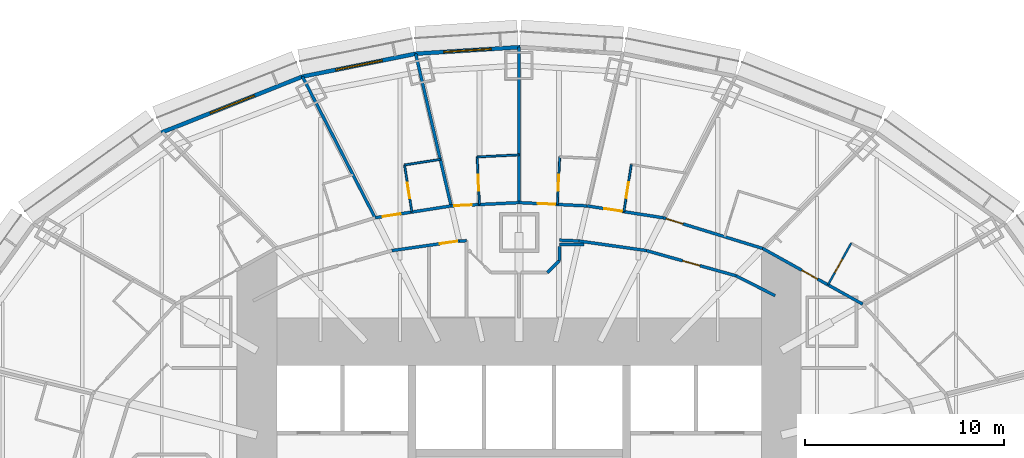
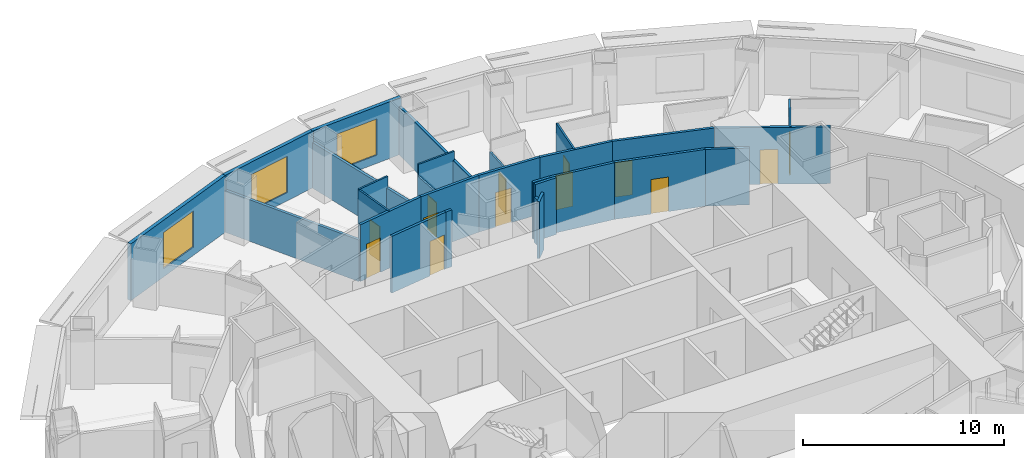
# One storey, part 10 of 17: 28 walls, 13 doors, 3 windows, 16 openings.
"""IFC4 building model written with IfcOpenShell, lengths in metres."""

from ifc_helpers import new_model, si_unit, direction, frame, frame_2d, origin, place, context, subcontext, project, spatial, rectangle, extrude, material, layer, layer_set, type_object, element, fill, save


model = new_model("IFC4")

# Units and contexts
model_context = context("Model", 3, precision=1e-05, world=origin(), true_north=direction((0.0, 1.0)))
body_context = subcontext(model_context, "Body", "Model", "MODEL_VIEW")
ifc_project = project(units=[si_unit("LENGTHUNIT", "METRE"), si_unit("AREAUNIT", "SQUARE_METRE"), si_unit("VOLUMEUNIT", "CUBIC_METRE"), si_unit("PLANEANGLEUNIT", "RADIAN"), si_unit("MASSUNIT", "GRAM", prefix="KILO")], contexts=[model_context])

# Site, building, storey
site_placement = place(None, origin())
site = spatial("IfcSite", under=ifc_project, at=site_placement, CompositionType="ELEMENT")
building_placement = place(site_placement, origin())
building = spatial("IfcBuilding", under=site, at=building_placement, Name="Lantaw Convention Tower", CompositionType="ELEMENT")
storey_placement = place(building_placement, frame((0.0, 0.0, 69.39990234375)))
storey = spatial("IfcBuildingStorey", under=building, at=storey_placement, Name="L15", CompositionType="ELEMENT", Elevation=69.39990234375)

# Walls
ifc_material_1 = material(Name="Gypsum board on steel studs", Category="steel")
ifc_layer_1 = layer(ifc_material_1, 0.14990234375)
ifc_layer_set_1 = layer_set([ifc_layer_1], Name="Back of house wall 150")
wall_type_1 = type_object("IfcWallType", Name="Back of house wall 150", PredefinedType="PARTITIONING", material=ifc_layer_set_1)
wall_1_placement = place(storey_placement, frame((3.2578125, 12.89990234375, 0.0), z_axis=(0.0, 0.0, 1.0), x_axis=(-1.0, 0.0, 0.0)))
element("IfcWall", 1, at=wall_1_placement, inside=storey, type_object=wall_type_1, Name="Back of house wall 150", PredefinedType="PARTITIONING", context=body_context, shape_type="SweptSolid", body=[
    extrude(rectangle(XDim=1.222900390625, YDim=0.14990234375, at=frame_2d((0.611328125, 0.0))), origin(), (0.0, 0.0, 1.0), 3.4501953125),
])
wall_2_placement = place(storey_placement, frame((2.02490234375, 12.796875, 0.0), z_axis=(0.0, 0.0, 1.0), x_axis=(0.0, -1.0, 0.0)))
element("IfcWall", 2, at=wall_2_placement, inside=storey, type_object=wall_type_1, Name="Back of house wall 150", PredefinedType="PARTITIONING", context=body_context, shape_type="SweptSolid", body=[
    extrude(rectangle(XDim=0.721435546875, YDim=0.14990234375, at=frame_2d((0.36083984375, 0.0))), origin(), (0.0, 0.0, 1.0), 2.7490234375),
])
wall_3_placement = place(storey_placement, frame((2.02490234375, 12.075439453125, 0.0), z_axis=(0.0, 0.0, 1.0), x_axis=(-0.707106781187, -0.707106781187, 0.0)))
element("IfcWall", 3, at=wall_3_placement, inside=storey, type_object=wall_type_1, Name="Back of house wall 150", PredefinedType="PARTITIONING", context=body_context, shape_type="SweptSolid", body=[
    extrude(rectangle(XDim=0.84912109375, YDim=0.14990234375, at=frame_2d((0.424560546875, 0.0))), origin(), (0.0, 0.0, 1.0), 3.4501953125),
])

# Wall, opening, door
ifc_material_2 = material(Name="Moisture resistant gypsum board on steel studs", Category="steel")
ifc_layer_2 = layer(ifc_material_2, 0.10009765625)
ifc_layer_set_2 = layer_set([ifc_layer_2], Name="Bathroom wall 100")
wall_type_2 = type_object("IfcWallType", Name="Bathroom wall 100", PredefinedType="PARTITIONING", material=ifc_layer_set_2)
wall_4_placement = place(storey_placement, frame((15.5517578125, 10.858154296875, 0.0), z_axis=(0.0, 0.0, 1.0), x_axis=(0.486445964861, 0.873710663361, 0.0)))
wall_4 = element("IfcWall", 4, at=wall_4_placement, inside=storey, type_object=wall_type_2, Name="Bathroom wall 100", PredefinedType="PARTITIONING", context=body_context, shape_type="SweptSolid", body=[
    extrude(rectangle(XDim=2.39990234375, YDim=0.10009765625, at=frame_2d((1.199951171875, 0.0))), origin(), (0.0, 0.0, 1.0), 3.4501953125),
])
opening_1_placement = place(wall_4_placement, frame((0.699951171875, 0.0, 0.0)))
opening_1 = element("IfcOpeningElement", 5, at=opening_1_placement, cuts=wall_4, Name="Opening L15.27", PredefinedType="OPENING", context=body_context, shape_type="SweptSolid", body=[
    extrude(rectangle(XDim=0.800048828125, YDim=2.10009765625, at=frame_2d((0.39990234375, 1.050048828125))), frame((0.0, 0.06005859375, 0.0), z_axis=(0.0, -1.0, 0.0), x_axis=(1.0, 0.0, 0.0)), (0.0, 0.0, 1.0), 0.1201171875),
])
ifc_material_3 = material(Name="Timber", Category="wood")
door_type_1 = type_object("IfcDoorType", Name="Bathroom door 800", OperationType="SINGLE_SWING_LEFT", PredefinedType="DOOR", material=ifc_material_3)
door_1_placement = place(opening_1_placement, origin())
door_1 = element("IfcDoor", 6, at=door_1_placement, inside=storey, type_object=door_type_1, Name="Bathroom door", OperationType="SINGLE_SWING_LEFT", OverallHeight=2.10009765625, OverallWidth=0.800048828125, PredefinedType="DOOR", context=body_context, shape_type="SweptSolid", body=[
    extrude(rectangle(XDim=0.800048828125, YDim=2.10009765625, at=frame_2d((0.39990234375, 1.050048828125))), frame((0.0, 0.02490234375, 0.0), z_axis=(0.0, -1.0, 0.0), x_axis=(1.0, 0.0, 0.0)), (0.0, 0.0, 1.0), 0.050048828125),
])
fill(opening_1, door_1)

wall_5_placement = place(storey_placement, frame((5.27685546875, 14.54345703125, 0.0), z_axis=(0.0, 0.0, 1.0), x_axis=(0.154426532979, 0.988004274238, 0.0)))
wall_5 = element("IfcWall", 7, at=wall_5_placement, inside=storey, type_object=wall_type_2, Name="Bathroom wall 100", PredefinedType="PARTITIONING", context=body_context, shape_type="SweptSolid", body=[
    extrude(rectangle(XDim=2.39990234375, YDim=0.10009765625, at=frame_2d((1.199951171875, 0.0))), origin(), (0.0, 0.0, 1.0), 3.4501953125),
])
opening_2_placement = place(wall_5_placement, frame((0.699951171875, 0.0, 0.0)))
opening_2 = element("IfcOpeningElement", 8, at=opening_2_placement, cuts=wall_5, Name="Opening L15.31", PredefinedType="OPENING", context=body_context, shape_type="SweptSolid", body=[
    extrude(rectangle(XDim=0.800048828125, YDim=2.10009765625, at=frame_2d((0.39990234375, 1.050048828125))), frame((0.0, 0.06005859375, 0.0), z_axis=(0.0, -1.0, 0.0), x_axis=(1.0, 0.0, 0.0)), (0.0, 0.0, 1.0), 0.1201171875),
])
door_2_placement = place(opening_2_placement, origin())
door_2 = element("IfcDoor", 9, at=door_2_placement, inside=storey, type_object=door_type_1, Name="Bathroom door", OperationType="SINGLE_SWING_LEFT", OverallHeight=2.10009765625, OverallWidth=0.800048828125, PredefinedType="DOOR", context=body_context, shape_type="SweptSolid", body=[
    extrude(rectangle(XDim=0.800048828125, YDim=2.10009765625, at=frame_2d((0.39990234375, 1.050048828125))), frame((0.0, 0.02490234375, 0.0), z_axis=(0.0, -1.0, 0.0), x_axis=(1.0, 0.0, 0.0)), (0.0, 0.0, 1.0), 0.050048828125),
])
fill(opening_2, door_2)

wall_6_placement = place(storey_placement, frame((1.92626953125, 14.906005859375, 0.0), z_axis=(0.0, 0.0, 1.0), x_axis=(0.048725028858, 0.998812230383, 0.0)))
wall_6 = element("IfcWall", 10, at=wall_6_placement, inside=storey, type_object=wall_type_2, Name="Bathroom wall 100", PredefinedType="PARTITIONING", context=body_context, shape_type="SweptSolid", body=[
    extrude(rectangle(XDim=2.400146484375, YDim=0.10009765625, at=frame_2d((1.2001953125, 0.0))), origin(), (0.0, 0.0, 1.0), 2.7490234375),
])
opening_3_placement = place(wall_6_placement, frame((0.699951171875, 0.0, 0.0)))
opening_3 = element("IfcOpeningElement", 11, at=opening_3_placement, cuts=wall_6, Name="Opening L15.33", PredefinedType="OPENING", context=body_context, shape_type="SweptSolid", body=[
    extrude(rectangle(XDim=0.800048828125, YDim=2.10009765625, at=frame_2d((0.39990234375, 1.050048828125))), frame((0.0, 0.06005859375, 0.0), z_axis=(0.0, -1.0, 0.0), x_axis=(1.0, 0.0, 0.0)), (0.0, 0.0, 1.0), 0.1201171875),
])
door_3_placement = place(opening_3_placement, origin())
door_3 = element("IfcDoor", 12, at=door_3_placement, inside=storey, type_object=door_type_1, Name="Bathroom door", OperationType="SINGLE_SWING_LEFT", OverallHeight=2.10009765625, OverallWidth=0.800048828125, PredefinedType="DOOR", context=body_context, shape_type="SweptSolid", body=[
    extrude(rectangle(XDim=0.800048828125, YDim=2.10009765625, at=frame_2d((0.39990234375, 1.050048828125))), frame((0.0, 0.02490234375, 0.0), z_axis=(0.0, -1.0, 0.0), x_axis=(1.0, 0.0, 0.0)), (0.0, 0.0, 1.0), 0.050048828125),
])
fill(opening_3, door_3)

wall_7_placement = place(storey_placement, frame((-1.99755859375, 14.902587890625, 0.0), z_axis=(0.0, 0.0, 1.0), x_axis=(-0.048831470304, 0.998807032168, 0.0)))
wall_7 = element("IfcWall", 13, at=wall_7_placement, inside=storey, type_object=wall_type_2, Name="Bathroom wall 100", PredefinedType="PARTITIONING", context=body_context, shape_type="SweptSolid", body=[
    extrude(rectangle(XDim=2.39990234375, YDim=0.10009765625, at=frame_2d((1.199951171875, 0.0))), origin(), (0.0, 0.0, 1.0), 2.7490234375),
])
opening_4_placement = place(wall_7_placement, frame((0.699951171875, 0.0, 0.0)))
opening_4 = element("IfcOpeningElement", 14, at=opening_4_placement, cuts=wall_7, Name="Opening L15.35", PredefinedType="OPENING", context=body_context, shape_type="SweptSolid", body=[
    extrude(rectangle(XDim=0.800048828125, YDim=2.10009765625, at=frame_2d((0.39990234375, 1.050048828125))), frame((0.0, 0.06005859375, 0.0), z_axis=(0.0, -1.0, 0.0), x_axis=(1.0, 0.0, 0.0)), (0.0, 0.0, 1.0), 0.1201171875),
])
door_4_placement = place(opening_4_placement, origin())
door_4 = element("IfcDoor", 15, at=door_4_placement, inside=storey, type_object=door_type_1, Name="Bathroom door", OperationType="SINGLE_SWING_LEFT", OverallHeight=2.10009765625, OverallWidth=0.800048828125, PredefinedType="DOOR", context=body_context, shape_type="SweptSolid", body=[
    extrude(rectangle(XDim=0.800048828125, YDim=2.10009765625, at=frame_2d((0.39990234375, 1.050048828125))), frame((0.0, 0.02490234375, 0.0), z_axis=(0.0, -1.0, 0.0), x_axis=(1.0, 0.0, 0.0)), (0.0, 0.0, 1.0), 0.050048828125),
])
fill(opening_4, door_4)

# Wall
wall_8_placement = place(storey_placement, frame((-2.11474609375, 17.299560546875, 0.0), z_axis=(0.0, 0.0, 1.0), x_axis=(0.998809749254, 0.048775862842, 0.0)))
element("IfcWall", 16, at=wall_8_placement, inside=storey, type_object=wall_type_2, Name="Bathroom wall 100", PredefinedType="PARTITIONING", context=body_context, shape_type="SweptSolid", body=[
    extrude(rectangle(XDim=2.1171875, YDim=0.10009765625, at=frame_2d((1.05859375, 0.0))), origin(), (0.0, 0.0, 1.0), 3.4501953125),
])

# Wall, opening, door
wall_9_placement = place(storey_placement, frame((-5.400390625, 14.524169921875, 0.0), z_axis=(0.0, 0.0, 1.0), x_axis=(-0.154426532979, 0.988004274238, 0.0)))
wall_9 = element("IfcWall", 17, at=wall_9_placement, inside=storey, type_object=wall_type_2, Name="Bathroom wall 100", PredefinedType="PARTITIONING", context=body_context, shape_type="SweptSolid", body=[
    extrude(rectangle(XDim=2.39990234375, YDim=0.10009765625, at=frame_2d((1.199951171875, 0.0))), origin(), (0.0, 0.0, 1.0), 3.4501953125),
])
opening_5_placement = place(wall_9_placement, frame((0.699951171875, 0.0, 0.0)))
opening_5 = element("IfcOpeningElement", 18, at=opening_5_placement, cuts=wall_9, Name="Opening L15.37", PredefinedType="OPENING", context=body_context, shape_type="SweptSolid", body=[
    extrude(rectangle(XDim=0.800048828125, YDim=2.10009765625, at=frame_2d((0.39990234375, 1.050048828125))), frame((0.0, 0.06005859375, 0.0), z_axis=(0.0, -1.0, 0.0), x_axis=(1.0, 0.0, 0.0)), (0.0, 0.0, 1.0), 0.1201171875),
])
door_5_placement = place(opening_5_placement, origin())
door_5 = element("IfcDoor", 19, at=door_5_placement, inside=storey, type_object=door_type_1, Name="Bathroom door", OperationType="SINGLE_SWING_LEFT", OverallHeight=2.10009765625, OverallWidth=0.800048828125, PredefinedType="DOOR", context=body_context, shape_type="SweptSolid", body=[
    extrude(rectangle(XDim=0.800048828125, YDim=2.10009765625, at=frame_2d((0.39990234375, 1.050048828125))), frame((0.0, 0.02490234375, 0.0), z_axis=(0.0, -1.0, 0.0), x_axis=(1.0, 0.0, 0.0)), (0.0, 0.0, 1.0), 0.050048828125),
])
fill(opening_5, door_5)

# Wall
wall_10_placement = place(storey_placement, frame((-5.77099609375, 16.895263671875, 0.0), z_axis=(0.0, 0.0, 1.0), x_axis=(0.98801840204, 0.154336117711, 0.0)))
element("IfcWall", 20, at=wall_10_placement, inside=storey, type_object=wall_type_2, Name="Bathroom wall 100", PredefinedType="PARTITIONING", context=body_context, shape_type="SweptSolid", body=[
    extrude(rectangle(XDim=1.8271484375, YDim=0.10009765625, at=frame_2d((0.91357421875, 0.0))), origin(), (0.0, 0.0, 1.0), 3.4501953125),
])

# Wall, opening, door
ifc_material_4 = material(Name="Gypsum board on steel studs, fire rated", Category="steel")
ifc_layer_3 = layer(ifc_material_4, 0.14990234375)
ifc_layer_set_3 = layer_set([ifc_layer_3], Name="Corridor wall 150 EI 60")
wall_type_3 = type_object("IfcWallType", Name="Corridor wall 150 EI 60", PredefinedType="PARTITIONING", material=ifc_layer_set_3)
wall_11_placement = place(storey_placement, frame((17.299072265625, 9.88525390625, 0.0), z_axis=(0.0, 0.0, 1.0), x_axis=(-0.873695910579, 0.486472461541, 0.0)))
wall_11 = element("IfcWall", 21, at=wall_11_placement, inside=storey, type_object=wall_type_3, Name="Corridor wall 150", PredefinedType="PARTITIONING", context=body_context, shape_type="SweptSolid", body=[
    extrude(rectangle(XDim=5.77099609375, YDim=0.14990234375, at=frame_2d((2.885498046875, 0.0))), origin(), (0.0, 0.0, 1.0), 3.4501953125),
])
opening_6_placement = place(wall_11_placement, frame((2.60009765625, 0.0, 0.0)))
opening_6 = element("IfcOpeningElement", 22, at=opening_6_placement, cuts=wall_11, Name="Opening L15.28", PredefinedType="OPENING", context=body_context, shape_type="SweptSolid", body=[
    extrude(rectangle(XDim=0.89990234375, YDim=2.10009765625, at=frame_2d((0.449951171875, 1.050048828125))), frame((0.0, 0.0849609375, 0.0), z_axis=(0.0, -1.0, 0.0), x_axis=(1.0, 0.0, 0.0)), (0.0, 0.0, 1.0), 0.169921875),
])
ifc_material_5 = material(Name="Steel, fire rated", Category="steel")
door_type_2 = type_object("IfcDoorType", Name="Guest room entrance door FD30S", OperationType="SINGLE_SWING_LEFT", PredefinedType="DOOR", material=ifc_material_5)
door_6_placement = place(opening_6_placement, origin())
door_6 = element("IfcDoor", 23, at=door_6_placement, inside=storey, type_object=door_type_2, Name="Guest room entrance door", OperationType="SINGLE_SWING_LEFT", OverallHeight=2.10009765625, OverallWidth=0.89990234375, PredefinedType="DOOR", context=body_context, shape_type="SweptSolid", body=[
    extrude(rectangle(XDim=0.89990234375, YDim=2.10009765625, at=frame_2d((0.449951171875, 1.050048828125))), frame((0.0, 0.02490234375, 0.0), z_axis=(0.0, -1.0, 0.0), x_axis=(1.0, 0.0, 0.0)), (0.0, 0.0, 1.0), 0.050048828125),
])
fill(opening_6, door_6)

wall_12_placement = place(storey_placement, frame((12.257080078125, 12.692626953125, 0.0), z_axis=(0.0, 0.0, 1.0), x_axis=(-0.955657956744, 0.294478980085, 0.0)))
wall_12 = element("IfcWall", 24, at=wall_12_placement, inside=storey, type_object=wall_type_3, Name="Corridor wall 150", PredefinedType="PARTITIONING", context=body_context, shape_type="SweptSolid", body=[
    extrude(rectangle(XDim=5.236328125, YDim=0.14990234375, at=frame_2d((2.6181640625, 0.0))), origin(), (0.0, 0.0, 1.0), 3.4501953125),
])
opening_7_placement = place(wall_12_placement, frame((4.186279296875, 0.0, 0.0)))
opening_7 = element("IfcOpeningElement", 25, at=opening_7_placement, cuts=wall_12, Name="Opening L15.30", PredefinedType="OPENING", context=body_context, shape_type="SweptSolid", body=[
    extrude(rectangle(XDim=0.89990234375, YDim=2.10009765625, at=frame_2d((0.449951171875, 1.050048828125))), frame((0.0, 0.0849609375, 0.0), z_axis=(0.0, -1.0, 0.0), x_axis=(1.0, 0.0, 0.0)), (0.0, 0.0, 1.0), 0.169921875),
])
door_7_placement = place(opening_7_placement, origin())
door_7 = element("IfcDoor", 26, at=door_7_placement, inside=storey, type_object=door_type_2, Name="Guest room entrance door", OperationType="SINGLE_SWING_LEFT", OverallHeight=2.10009765625, OverallWidth=0.89990234375, PredefinedType="DOOR", context=body_context, shape_type="SweptSolid", body=[
    extrude(rectangle(XDim=0.89990234375, YDim=2.10009765625, at=frame_2d((0.449951171875, 1.050048828125))), frame((0.0, 0.02490234375, 0.0), z_axis=(0.0, -1.0, 0.0), x_axis=(1.0, 0.0, 0.0)), (0.0, 0.0, 1.0), 0.050048828125),
])
fill(opening_7, door_7)

wall_13_placement = place(storey_placement, frame((7.2529296875, 14.234619140625, 0.0), z_axis=(0.0, 0.0, 1.0), x_axis=(-0.988015036573, 0.154357660987, 0.0)))
wall_13 = element("IfcWall", 27, at=wall_13_placement, inside=storey, type_object=wall_type_3, Name="Corridor wall 150", PredefinedType="PARTITIONING", context=body_context, shape_type="SweptSolid", body=[
    extrude(rectangle(XDim=3.875, YDim=0.14990234375, at=frame_2d((1.9375, 0.0))), origin(), (0.0, 0.0, 1.0), 3.4501953125),
])
opening_8_placement = place(wall_13_placement, frame((2.10009765625, 0.0, 0.0)))
opening_8 = element("IfcOpeningElement", 28, at=opening_8_placement, cuts=wall_13, Name="Opening L15.32", PredefinedType="OPENING", context=body_context, shape_type="SweptSolid", body=[
    extrude(rectangle(XDim=0.89990234375, YDim=2.10009765625, at=frame_2d((0.449951171875, 1.050048828125))), frame((0.0, 0.0849609375, 0.0), z_axis=(0.0, -1.0, 0.0), x_axis=(1.0, 0.0, 0.0)), (0.0, 0.0, 1.0), 0.169921875),
])
door_8_placement = place(opening_8_placement, origin())
door_8 = element("IfcDoor", 29, at=door_8_placement, inside=storey, type_object=door_type_2, Name="Guest room entrance door", OperationType="SINGLE_SWING_LEFT", OverallHeight=2.10009765625, OverallWidth=0.89990234375, PredefinedType="DOOR", context=body_context, shape_type="SweptSolid", body=[
    extrude(rectangle(XDim=0.89990234375, YDim=2.10009765625, at=frame_2d((0.449951171875, 1.050048828125))), frame((0.0, 0.02490234375, 0.0), z_axis=(0.0, -1.0, 0.0), x_axis=(1.0, 0.0, 0.0)), (0.0, 0.0, 1.0), 0.050048828125),
])
fill(opening_8, door_8)

wall_14_placement = place(storey_placement, frame((3.42431640625, 14.832763671875, 0.0), z_axis=(0.0, 0.0, 1.0), x_axis=(-0.998809560203, 0.048779733975, 0.0)))
wall_14 = element("IfcWall", 30, at=wall_14_placement, inside=storey, type_object=wall_type_3, Name="Corridor wall 150", PredefinedType="PARTITIONING", context=body_context, shape_type="SweptSolid", body=[
    extrude(rectangle(XDim=3.428466796875, YDim=0.14990234375, at=frame_2d((1.71435546875, 0.0))), origin(), (0.0, 0.0, 1.0), 3.4501953125),
])
opening_9_placement = place(wall_14_placement, frame((1.60009765625, 0.0, 0.0)))
opening_9 = element("IfcOpeningElement", 31, at=opening_9_placement, cuts=wall_14, Name="Opening L15.34", PredefinedType="OPENING", context=body_context, shape_type="SweptSolid", body=[
    extrude(rectangle(XDim=0.89990234375, YDim=2.10009765625, at=frame_2d((0.449951171875, 1.050048828125))), frame((0.0, 0.0849609375, 0.0), z_axis=(0.0, -1.0, 0.0), x_axis=(1.0, 0.0, 0.0)), (0.0, 0.0, 1.0), 0.169921875),
])
door_9_placement = place(opening_9_placement, origin())
door_9 = element("IfcDoor", 32, at=door_9_placement, inside=storey, type_object=door_type_2, Name="Guest room entrance door", OperationType="SINGLE_SWING_LEFT", OverallHeight=2.10009765625, OverallWidth=0.89990234375, PredefinedType="DOOR", context=body_context, shape_type="SweptSolid", body=[
    extrude(rectangle(XDim=0.89990234375, YDim=2.10009765625, at=frame_2d((0.449951171875, 1.050048828125))), frame((0.0, 0.02490234375, 0.0), z_axis=(0.0, -1.0, 0.0), x_axis=(1.0, 0.0, 0.0)), (0.0, 0.0, 1.0), 0.050048828125),
])
fill(opening_9, door_9)

wall_15_placement = place(storey_placement, frame((0.0, 15.0, 0.0), z_axis=(0.0, 0.0, 1.0), x_axis=(-0.998809560203, -0.048779733975, 0.0)))
wall_15 = element("IfcWall", 33, at=wall_15_placement, inside=storey, type_object=wall_type_3, Name="Corridor wall 150", PredefinedType="PARTITIONING", context=body_context, shape_type="SweptSolid", body=[
    extrude(rectangle(XDim=3.428466796875, YDim=0.14990234375, at=frame_2d((1.71435546875, 0.0))), origin(), (0.0, 0.0, 1.0), 3.4501953125),
])
opening_10_placement = place(wall_15_placement, frame((2.37841796875, 0.0, 0.0)))
opening_10 = element("IfcOpeningElement", 34, at=opening_10_placement, cuts=wall_15, Name="Opening L15.36", PredefinedType="OPENING", context=body_context, shape_type="SweptSolid", body=[
    extrude(rectangle(XDim=0.89990234375, YDim=2.10009765625, at=frame_2d((0.449951171875, 1.050048828125))), frame((0.0, 0.0849609375, 0.0), z_axis=(0.0, -1.0, 0.0), x_axis=(1.0, 0.0, 0.0)), (0.0, 0.0, 1.0), 0.169921875),
])
door_10_placement = place(opening_10_placement, origin())
door_10 = element("IfcDoor", 35, at=door_10_placement, inside=storey, type_object=door_type_2, Name="Guest room entrance door", OperationType="SINGLE_SWING_LEFT", OverallHeight=2.10009765625, OverallWidth=0.89990234375, PredefinedType="DOOR", context=body_context, shape_type="SweptSolid", body=[
    extrude(rectangle(XDim=0.89990234375, YDim=2.10009765625, at=frame_2d((0.449951171875, 1.050048828125))), frame((0.0, 0.02490234375, 0.0), z_axis=(0.0, -1.0, 0.0), x_axis=(1.0, 0.0, 0.0)), (0.0, 0.0, 1.0), 0.050048828125),
])
fill(opening_10, door_10)

wall_16_placement = place(storey_placement, frame((-3.42431640625, 14.832763671875, 0.0), z_axis=(0.0, 0.0, 1.0), x_axis=(-0.988015036573, -0.154357660987, 0.0)))
wall_16 = element("IfcWall", 36, at=wall_16_placement, inside=storey, type_object=wall_type_3, Name="Corridor wall 150", PredefinedType="PARTITIONING", context=body_context, shape_type="SweptSolid", body=[
    extrude(rectangle(XDim=3.875, YDim=0.14990234375, at=frame_2d((1.9375, 0.0))), origin(), (0.0, 0.0, 1.0), 3.4501953125),
])
opening_11_placement = place(wall_16_placement, frame((2.583251953125, 0.0, 0.0)))
opening_11 = element("IfcOpeningElement", 37, at=opening_11_placement, cuts=wall_16, Name="Opening L15.38", PredefinedType="OPENING", context=body_context, shape_type="SweptSolid", body=[
    extrude(rectangle(XDim=0.89990234375, YDim=2.10009765625, at=frame_2d((0.449951171875, 1.050048828125))), frame((0.0, 0.0849609375, 0.0), z_axis=(0.0, -1.0, 0.0), x_axis=(1.0, 0.0, 0.0)), (0.0, 0.0, 1.0), 0.169921875),
])
door_11_placement = place(opening_11_placement, origin())
door_11 = element("IfcDoor", 38, at=door_11_placement, inside=storey, type_object=door_type_2, Name="Guest room entrance door", OperationType="SINGLE_SWING_LEFT", OverallHeight=2.10009765625, OverallWidth=0.89990234375, PredefinedType="DOOR", context=body_context, shape_type="SweptSolid", body=[
    extrude(rectangle(XDim=0.89990234375, YDim=2.10009765625, at=frame_2d((0.449951171875, 1.050048828125))), frame((0.0, 0.02490234375, 0.0), z_axis=(0.0, -1.0, 0.0), x_axis=(1.0, 0.0, 0.0)), (0.0, 0.0, 1.0), 0.050048828125),
])
fill(opening_11, door_11)

wall_17_placement = place(storey_placement, frame((10.92431640625, 11.3125, 0.0), z_axis=(0.0, 0.0, 1.0), x_axis=(-0.962643729928, 0.270771211967, 0.0)))
wall_17 = element("IfcWall", 39, at=wall_17_placement, inside=storey, type_object=wall_type_3, Name="Corridor wall 150", PredefinedType="PARTITIONING", context=body_context, shape_type="SweptSolid", body=[
    extrude(rectangle(XDim=4.6884765625, YDim=0.14990234375, at=frame_2d((2.34423828125, 0.0))), origin(), (0.0, 0.0, 1.0), 3.4501953125),
])
opening_12_placement = place(wall_17_placement, frame((1.894287109375, 0.0, 0.0)))
opening_12 = element("IfcOpeningElement", 40, at=opening_12_placement, cuts=wall_17, Name="Opening L15.15", PredefinedType="OPENING", context=body_context, shape_type="SweptSolid", body=[
    extrude(rectangle(XDim=0.89990234375, YDim=2.10009765625, at=frame_2d((0.449951171875, 1.050048828125))), frame((0.0, 0.0849609375, 0.0), z_axis=(0.0, -1.0, 0.0), x_axis=(1.0, 0.0, 0.0)), (0.0, 0.0, 1.0), 0.169921875),
])
door_type_3 = type_object("IfcDoorType", Name="Service door 900 FD30", OperationType="SINGLE_SWING_LEFT", PredefinedType="DOOR", material=ifc_material_5)
door_12_placement = place(opening_12_placement, origin())
door_12 = element("IfcDoor", 41, at=door_12_placement, inside=storey, type_object=door_type_3, Name="Linen store room door", OperationType="SINGLE_SWING_LEFT", OverallHeight=2.10009765625, OverallWidth=0.89990234375, PredefinedType="DOOR", context=body_context, shape_type="SweptSolid", body=[
    extrude(rectangle(XDim=0.89990234375, YDim=2.10009765625, at=frame_2d((0.449951171875, 1.050048828125))), frame((0.0, 0.02490234375, 0.0), z_axis=(0.0, -1.0, 0.0), x_axis=(1.0, 0.0, 0.0)), (0.0, 0.0, 1.0), 0.050048828125),
])
fill(opening_12, door_12)

# Wall
wall_18_placement = place(storey_placement, frame((6.410888671875, 12.58203125, 0.0), z_axis=(0.0, 0.0, 1.0), x_axis=(-0.990002114939, 0.14105251652, 0.0)))
element("IfcWall", 42, at=wall_18_placement, inside=storey, type_object=wall_type_3, Name="Corridor wall 150", PredefinedType="PARTITIONING", context=body_context, shape_type="SweptSolid", body=[
    extrude(rectangle(XDim=3.4287109375, YDim=0.14990234375, at=frame_2d((1.71435546875, 0.0))), origin(), (0.0, 0.0, 1.0), 3.4501953125),
])

# Wall, opening, door
wall_19_placement = place(storey_placement, frame((-3.016357421875, 13.065673828125, 0.0), z_axis=(0.0, 0.0, 1.0), x_axis=(-0.990002114939, -0.14105251652, 0.0)))
wall_19 = element("IfcWall", 43, at=wall_19_placement, inside=storey, type_object=wall_type_3, Name="Corridor wall 150", PredefinedType="PARTITIONING", context=body_context, shape_type="SweptSolid", body=[
    extrude(rectangle(XDim=3.4287109375, YDim=0.14990234375, at=frame_2d((1.71435546875, 0.0))), origin(), (0.0, 0.0, 1.0), 3.4501953125),
])
opening_13_placement = place(wall_19_placement, frame((0.10009765625, 0.0, 0.0)))
opening_13 = element("IfcOpeningElement", 44, at=opening_13_placement, cuts=wall_19, Name="Opening L15.18", PredefinedType="OPENING", context=body_context, shape_type="SweptSolid", body=[
    extrude(rectangle(XDim=0.89990234375, YDim=2.10009765625, at=frame_2d((0.449951171875, 1.050048828125))), frame((0.0, 0.0849609375, 0.0), z_axis=(0.0, -1.0, 0.0), x_axis=(1.0, 0.0, 0.0)), (0.0, 0.0, 1.0), 0.169921875),
])
door_type_4 = type_object("IfcDoorType", Name="WC door 900 FD30", OperationType="SINGLE_SWING_LEFT", PredefinedType="DOOR", material=ifc_material_5)
door_13_placement = place(opening_13_placement, origin())
door_13 = element("IfcDoor", 45, at=door_13_placement, inside=storey, type_object=door_type_4, Name="Staff WC door", OperationType="SINGLE_SWING_LEFT", OverallHeight=2.10009765625, OverallWidth=0.89990234375, PredefinedType="DOOR", context=body_context, shape_type="SweptSolid", body=[
    extrude(rectangle(XDim=0.89990234375, YDim=2.10009765625, at=frame_2d((0.449951171875, 1.050048828125))), frame((0.0, 0.02490234375, 0.0), z_axis=(0.0, -1.0, 0.0), x_axis=(1.0, 0.0, 0.0)), (0.0, 0.0, 1.0), 0.050048828125),
])
fill(opening_13, door_13)

# Walls
wall_20_placement = place(storey_placement, frame((3.016357421875, 13.065673828125, 0.0), z_axis=(0.0, 0.0, 1.0), x_axis=(-0.999010128674, 0.044483286824, 0.0)))
element("IfcWall", 46, at=wall_20_placement, inside=storey, type_object=wall_type_3, Name="Corridor wall 150", PredefinedType="PARTITIONING", context=body_context, shape_type="SweptSolid", body=[
    extrude(rectangle(XDim=0.982421875, YDim=0.14990234375, at=frame_2d((0.4912109375, 0.0))), origin(), (0.0, 0.0, 1.0), 3.4501953125),
])
wall_21_placement = place(storey_placement, frame((-2.659912109375, 13.08154296875, 0.0), z_axis=(0.0, 0.0, 1.0), x_axis=(-0.999010431215, -0.044476491801, 0.0)))
element("IfcWall", 47, at=wall_21_placement, inside=storey, type_object=wall_type_3, Name="Corridor wall 150", PredefinedType="PARTITIONING", context=body_context, shape_type="SweptSolid", body=[
    extrude(rectangle(XDim=0.356689453125, YDim=0.14990234375, at=frame_2d((0.17822265625, 0.0))), origin(), (0.0, 0.0, 1.0), 3.4501953125),
])
wall_22_placement = place(storey_placement, frame((12.889892578125, 10.31298828125, 0.0), z_axis=(0.0, 0.0, 1.0), x_axis=(-0.891372999417, 0.453270532805, 0.0)))
element("IfcWall", 48, at=wall_22_placement, inside=storey, type_object=wall_type_3, Name="Corridor wall 150", PredefinedType="PARTITIONING", context=body_context, shape_type="SweptSolid", body=[
    extrude(rectangle(XDim=2.205078125, YDim=0.14990234375, at=frame_2d((1.1025390625, 0.0))), origin(), (0.0, 0.0, 1.0), 3.4501953125),
])

# Wall, opening, window
ifc_material_6 = material(Name="Insulated aluminium panel on steel frame", Category="steel")
ifc_layer_4 = layer(ifc_material_6, 0.199951171875)
ifc_layer_set_4 = layer_set([ifc_layer_4], Name="External wall 200")
wall_type_4 = type_object("IfcWallType", Name="External wall 200", PredefinedType="SOLIDWALL", material=ifc_layer_set_4)
wall_23_placement = place(storey_placement, frame((0.041015625, 22.8271484375, 0.0), z_axis=(0.0, 0.0, 1.0), x_axis=(-0.998018582375, -0.062919863585, 0.0)))
wall_23 = element("IfcWall", 49, at=wall_23_placement, inside=storey, type_object=wall_type_4, Name="Facade panel wall", PredefinedType="SOLIDWALL", context=body_context, shape_type="SweptSolid", body=[
    extrude(rectangle(XDim=5.30419921875, YDim=0.199951171875, at=frame_2d((2.652099609375, 0.0))), origin(), (0.0, 0.0, 1.0), 3.4501953125),
])
opening_14_placement = place(wall_23_placement, frame((1.4521484375, 0.0, 0.5)))
opening_14 = element("IfcOpeningElement", 50, at=opening_14_placement, cuts=wall_23, Name="Opening W1", PredefinedType="OPENING", context=body_context, shape_type="SweptSolid", body=[
    extrude(rectangle(XDim=2.39990234375, YDim=2.199951171875, at=frame_2d((1.199951171875, 1.10009765625))), frame((0.0, 0.10986328125, 0.0), z_axis=(0.0, -1.0, 0.0), x_axis=(1.0, 0.0, 0.0)), (0.0, 0.0, 1.0), 0.219970703125),
])
ifc_material_7 = material(Name="Aluminium frame, clear insulating glass", Category="aluminium")
window_type = type_object("IfcWindowType", Name="Guest room window 2400x2200", PartitioningType="SINGLE_PANEL", PredefinedType="WINDOW", material=ifc_material_7)
window_1_placement = place(opening_14_placement, origin())
window_1 = element("IfcWindow", 51, at=window_1_placement, inside=storey, type_object=window_type, Name="Guest room window", OverallHeight=2.199951171875, OverallWidth=2.39990234375, PartitioningType="SINGLE_PANEL", PredefinedType="WINDOW", context=body_context, shape_type="SweptSolid", body=[
    extrude(rectangle(XDim=2.39990234375, YDim=2.199951171875, at=frame_2d((1.199951171875, 1.10009765625))), frame((0.0, 0.030029296875, 0.0), z_axis=(0.0, -1.0, 0.0), x_axis=(1.0, 0.0, 0.0)), (0.0, 0.0, 1.0), 0.06005859375),
])
fill(opening_14, window_1)

wall_24_placement = place(storey_placement, frame((-5.169677734375, 22.504150390625, 0.0), z_axis=(0.0, 0.0, 1.0), x_axis=(-0.980251657452, -0.197754110105, 0.0)))
wall_24 = element("IfcWall", 52, at=wall_24_placement, inside=storey, type_object=wall_type_4, Name="Facade panel wall", PredefinedType="SOLIDWALL", context=body_context, shape_type="SweptSolid", body=[
    extrude(rectangle(XDim=5.90380859375, YDim=0.199951171875, at=frame_2d((2.951904296875, 0.0))), origin(), (0.0, 0.0, 1.0), 3.4501953125),
])
opening_15_placement = place(wall_24_placement, frame((1.751708984375, 0.0, 0.5)))
opening_15 = element("IfcOpeningElement", 53, at=opening_15_placement, cuts=wall_24, Name="Opening W1", PredefinedType="OPENING", context=body_context, shape_type="SweptSolid", body=[
    extrude(rectangle(XDim=2.39990234375, YDim=2.199951171875, at=frame_2d((1.199951171875, 1.10009765625))), frame((0.0, 0.10986328125, 0.0), z_axis=(0.0, -1.0, 0.0), x_axis=(1.0, 0.0, 0.0)), (0.0, 0.0, 1.0), 0.219970703125),
])
window_2_placement = place(opening_15_placement, origin())
window_2 = element("IfcWindow", 54, at=window_2_placement, inside=storey, type_object=window_type, Name="Guest room window", OverallHeight=2.199951171875, OverallWidth=2.39990234375, PartitioningType="SINGLE_PANEL", PredefinedType="WINDOW", context=body_context, shape_type="SweptSolid", body=[
    extrude(rectangle(XDim=2.39990234375, YDim=2.199951171875, at=frame_2d((1.199951171875, 1.10009765625))), frame((0.0, 0.030029296875, 0.0), z_axis=(0.0, -1.0, 0.0), x_axis=(1.0, 0.0, 0.0)), (0.0, 0.0, 1.0), 0.06005859375),
])
fill(opening_15, window_2)

wall_25_placement = place(storey_placement, frame((-10.869384765625, 21.362548828125, 0.0), z_axis=(0.0, 0.0, 1.0), x_axis=(-0.929358351251, -0.369178892895, 0.0)))
wall_25 = element("IfcWall", 55, at=wall_25_placement, inside=storey, type_object=wall_type_4, Name="Facade panel wall", PredefinedType="SOLIDWALL", context=body_context, shape_type="SweptSolid", body=[
    extrude(rectangle(XDim=7.6923828125, YDim=0.199951171875, at=frame_2d((3.84619140625, 0.0))), origin(), (0.0, 0.0, 1.0), 3.4501953125),
])
opening_16_placement = place(wall_25_placement, frame((2.64599609375, 0.0, 0.5)))
opening_16 = element("IfcOpeningElement", 56, at=opening_16_placement, cuts=wall_25, Name="Opening W1", PredefinedType="OPENING", context=body_context, shape_type="SweptSolid", body=[
    extrude(rectangle(XDim=2.39990234375, YDim=2.199951171875, at=frame_2d((1.199951171875, 1.10009765625))), frame((0.0, 0.10986328125, 0.0), z_axis=(0.0, -1.0, 0.0), x_axis=(1.0, 0.0, 0.0)), (0.0, 0.0, 1.0), 0.219970703125),
])
window_3_placement = place(opening_16_placement, origin())
window_3 = element("IfcWindow", 57, at=window_3_placement, inside=storey, type_object=window_type, Name="Guest room window", OverallHeight=2.199951171875, OverallWidth=2.39990234375, PartitioningType="SINGLE_PANEL", PredefinedType="WINDOW", context=body_context, shape_type="SweptSolid", body=[
    extrude(rectangle(XDim=2.39990234375, YDim=2.199951171875, at=frame_2d((1.199951171875, 1.10009765625))), frame((0.0, 0.030029296875, 0.0), z_axis=(0.0, -1.0, 0.0), x_axis=(1.0, 0.0, 0.0)), (0.0, 0.0, 1.0), 0.06005859375),
])
fill(opening_16, window_3)

# Walls
ifc_material_8 = material(Name="Gypsum board on steel studs, acoustic", Category="steel")
ifc_layer_5 = layer(ifc_material_8, 0.14990234375)
ifc_layer_set_5 = layer_set([ifc_layer_5], Name="Guest room party wall 150")
wall_type_5 = type_object("IfcWallType", Name="Guest room party wall 150", PredefinedType="PARTITIONING", material=ifc_layer_set_5)
wall_26_placement = place(storey_placement, frame((0.0, 22.82470703125, 0.0), z_axis=(0.0, 0.0, 1.0), x_axis=(0.0, -1.0, 0.0)))
element("IfcWall", 58, at=wall_26_placement, inside=storey, type_object=wall_type_5, Name="Guest room party wall 150", PredefinedType="PARTITIONING", context=body_context, shape_type="SweptSolid", body=[
    extrude(rectangle(XDim=7.82470703125, YDim=0.14990234375, at=frame_2d((3.912353515625, 0.0))), origin(), (0.0, 0.0, 1.0), 2.92431640625),
])
wall_27_placement = place(storey_placement, frame((-5.2109375, 22.495849609375, 0.0), z_axis=(0.0, 0.0, 1.0), x_axis=(0.227056984461, -0.973881474209, 0.0)))
element("IfcWall", 59, at=wall_27_placement, inside=storey, type_object=wall_type_5, Name="Guest room party wall 150", PredefinedType="PARTITIONING", context=body_context, shape_type="SweptSolid", body=[
    extrude(rectangle(XDim=7.86865234375, YDim=0.14990234375, at=frame_2d((3.934326171875, 0.0))), origin(), (0.0, 0.0, 1.0), 2.766845703125),
])
wall_28_placement = place(storey_placement, frame((-10.911865234375, 21.345703125, 0.0), z_axis=(0.0, 0.0, 1.0), x_axis=(0.45752665959, -0.889195904042, 0.0)))
element("IfcWall", 60, at=wall_28_placement, inside=storey, type_object=wall_type_5, Name="Guest room party wall 150", PredefinedType="PARTITIONING", context=body_context, shape_type="SweptSolid", body=[
    extrude(rectangle(XDim=7.997314453125, YDim=0.14990234375, at=frame_2d((3.99853515625, 0.0))), origin(), (0.0, 0.0, 1.0), 2.528076171875),
])

save(model, "model.ifc")
